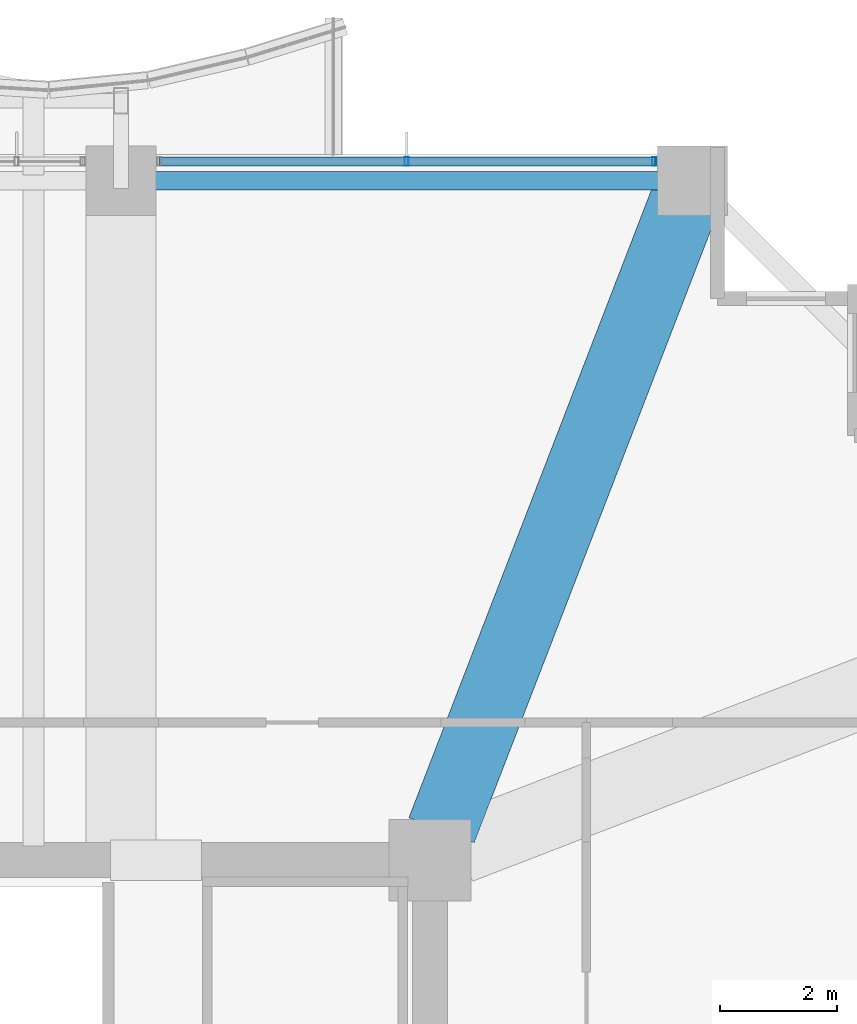
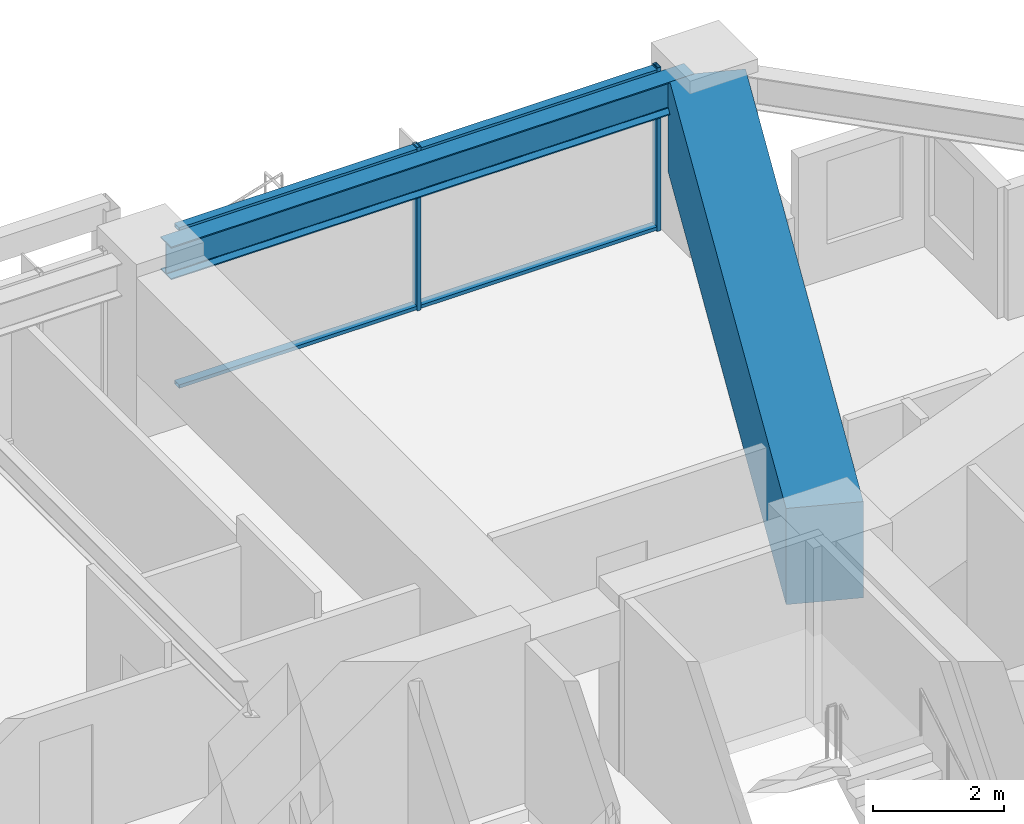
# One storey, part 24 of 37: 4 members, 2 beams, 1 element without a shape of its own.
"""IFC4 building model written with IfcOpenShell, lengths in metres."""

from ifc_helpers import new_model, si_unit, direction, frame, origin, origin_2d, place, context, subcontext, project, spatial, rectangle, hollow_rectangle, i_section, extrude, material, material_profile, profile_set, type_object, element, aggregate, save


model = new_model("IFC4")

# Units and contexts
model_context = context("Model", 3, precision=1e-05, world=origin(), true_north=direction((0.0, 1.0)))
body_context = subcontext(model_context, "Body", "Model", "MODEL_VIEW")
ifc_project = project(units=[si_unit("LENGTHUNIT", "METRE"), si_unit("AREAUNIT", "SQUARE_METRE"), si_unit("VOLUMEUNIT", "CUBIC_METRE"), si_unit("PLANEANGLEUNIT", "RADIAN"), si_unit("MASSUNIT", "GRAM", prefix="KILO")], contexts=[model_context])

# Site, building, storey
site_placement = place(None, origin())
site = spatial("IfcSite", under=ifc_project, at=site_placement, CompositionType="ELEMENT")
building_placement = place(site_placement, origin())
building = spatial("IfcBuilding", under=site, at=building_placement, Name="Kolvaren Belvedere", CompositionType="ELEMENT")
storey_placement = place(building_placement, frame((0.0, 0.0, 56.800048828125)))
storey = spatial("IfcBuildingStorey", under=building, at=storey_placement, Name="L16", CompositionType="ELEMENT", Elevation=56.800048828125)

# Beams
ifc_material_1 = material(Name="Structural steel ASTM A992 Grade 50", Category="steel")
ifc_material_profile_1 = material_profile(ifc_material_1, i_section(OverallWidth=0.324951171875, OverallDepth=0.615966796875, WebThickness=0.013916015625, FlangeThickness=0.021484375, FilletRadius=0.02001953125, at=origin_2d()), Name="W24X117")
ifc_profile_set_1 = profile_set([ifc_material_profile_1], Name="Structural steel ASTM A992 Grade 50")
beam_type_1 = type_object("IfcBeamType", Name="BM-SPAN-W24X117", PredefinedType="SPANDREL", material=ifc_profile_set_1)
beam_1_placement = place(storey_placement, frame((14.1298828125, 21.550048828125, 2.751953125), z_axis=(-1.0, 0.0, 0.0), x_axis=(0.0, -1.0, 0.0)))
element("IfcBeam", 1, at=beam_1_placement, inside=storey, type_object=beam_type_1, Name="L16 Perimeter Spandrel N4-N3", PredefinedType="SPANDREL", context=body_context, shape_type="SweptSolid", body=[
    extrude(i_section(OverallWidth=0.324951171875, OverallDepth=0.615966796875, WebThickness=0.013916015625, FlangeThickness=0.021484375, FilletRadius=0.02001953125, at=origin_2d()), origin(), (0.0, 0.0, 1.0), 9.259765625),
])
ifc_material_2 = material(Name="Concrete C50/60", Category="concrete")
ifc_material_profile_2 = material_profile(ifc_material_2, rectangle(XDim=1.199951171875, YDim=1.800048828125, at=origin_2d()), Name="RC 1200X1800")
ifc_profile_set_2 = profile_set([ifc_material_profile_2], Name="Concrete C50/60")
beam_type_2 = type_object("IfcBeamType", Name="BM-TG-1800", PredefinedType="BEAM", material=ifc_profile_set_2)
beam_2_placement = place(storey_placement, frame((10.09814453125, 10.4130859375, 2.159912109375), z_axis=(0.360318391835, 0.932829382313, 0.0), x_axis=(-0.932829382313, 0.360318391835, 0.0)))
element("IfcBeam", 2, at=beam_2_placement, inside=storey, type_object=beam_type_2, Name="L16 Corner Core-to-Perimeter Girder CC3-N4", PredefinedType="BEAM", context=body_context, shape_type="SweptSolid", body=[
    extrude(rectangle(XDim=1.199951171875, YDim=1.800048828125, at=origin_2d()), origin(), (0.0, 0.0, 1.0), 11.698974609375),
])

# Curtain wall, members
ifc_material_3 = material(Name="Anodised pale-metal aluminium AA 6063-T6", Category="aluminium")
curtain_wall_type = type_object("IfcCurtainWallType", Name="CW-Z1-LOW", PredefinedType="NOTDEFINED", material=ifc_material_3)
curtain_wall_placement = place(storey_placement, origin())
curtain_wall = element("IfcCurtainWall", 3, at=curtain_wall_placement, inside=storey, type_object=curtain_wall_type, Name="L16 Unitised Curtain Wall FCW-L16-N2-B2", PredefinedType="NOTDEFINED")
ifc_material_4 = material(Name="Anodised pale-metal aluminium AA 6063-T6", Category="aluminium")
ifc_material_profile_3 = material_profile(ifc_material_4, hollow_rectangle(XDim=0.070068359375, YDim=0.14990234375, WallThickness=0.004150390625, at=origin_2d()), Name="ALU-MUL-150X70")
ifc_profile_set_3 = profile_set([ifc_material_profile_3], Name="Anodised pale-metal aluminium AA 6063-T6")
member_type_1 = type_object("IfcMemberType", Name="CW-MUL-150", PredefinedType="MULLION", material=ifc_profile_set_3)
member_1_placement = place(storey_placement, frame((9.5, 21.8798828125, 0.0), z_axis=(0.0, 0.0, 1.0), x_axis=(1.0, 0.0, 0.0)))
member_1 = element("IfcMember", 4, at=member_1_placement, type_object=member_type_1, Name="FCW-L16-N2-B2 Unitised Mullion 2", PredefinedType="MULLION", context=body_context, shape_type="SweptSolid", body=[
    extrude(hollow_rectangle(XDim=0.070068359375, YDim=0.14990234375, WallThickness=0.004150390625, at=origin_2d()), origin(), (0.0, 0.0, 1.0), 3.06005859375),
])
member_2_placement = place(storey_placement, frame((13.7451171875, 21.8798828125, 0.0), z_axis=(0.0, 0.0, 1.0), x_axis=(1.0, 0.0, 0.0)))
member_2 = element("IfcMember", 5, at=member_2_placement, type_object=member_type_1, Name="FCW-L16-N2-B2 Unitised Mullion 3", PredefinedType="MULLION", context=body_context, shape_type="SweptSolid", body=[
    extrude(hollow_rectangle(XDim=0.070068359375, YDim=0.14990234375, WallThickness=0.004150390625, at=origin_2d()), origin(), (0.0, 0.0, 1.0), 3.06005859375),
])
ifc_material_5 = material(Name="Anodised pale-metal aluminium AA 6063-T6", Category="aluminium")
ifc_material_profile_4 = material_profile(ifc_material_5, hollow_rectangle(XDim=0.06494140625, YDim=0.14990234375, WallThickness=0.00390625, at=origin_2d()), Name="ALU-TRN-150X65")
ifc_profile_set_4 = profile_set([ifc_material_profile_4], Name="Anodised pale-metal aluminium AA 6063-T6")
member_type_2 = type_object("IfcMemberType", Name="CW-TRN-150", PredefinedType="USERDEFINED", material=ifc_profile_set_4)
member_3_placement = place(storey_placement, frame((5.2548828125, 21.8798828125, 0.06005859375), z_axis=(1.0, 0.0, 0.0), x_axis=(0.0, 0.0, 1.0)))
member_3 = element("IfcMember", 6, at=member_3_placement, type_object=member_type_2, Name="FCW-L16-N2-B2 Sill Transom", ObjectType="TRANSOM", PredefinedType="USERDEFINED", context=body_context, shape_type="SweptSolid", body=[
    extrude(hollow_rectangle(XDim=0.06494140625, YDim=0.14990234375, WallThickness=0.00390625, at=origin_2d()), origin(), (0.0, 0.0, 1.0), 8.490234375),
])
member_4_placement = place(storey_placement, frame((5.2548828125, 21.8798828125, 3.0), z_axis=(1.0, 0.0, 0.0), x_axis=(0.0, 0.0, 1.0)))
member_4 = element("IfcMember", 7, at=member_4_placement, type_object=member_type_2, Name="FCW-L16-N2-B2 Head Transom", ObjectType="TRANSOM", PredefinedType="USERDEFINED", context=body_context, shape_type="SweptSolid", body=[
    extrude(hollow_rectangle(XDim=0.06494140625, YDim=0.14990234375, WallThickness=0.00390625, at=origin_2d()), origin(), (0.0, 0.0, 1.0), 8.490234375),
])
aggregate(curtain_wall, [member_1, member_2, member_3, member_4])

save(model, "model.ifc")
